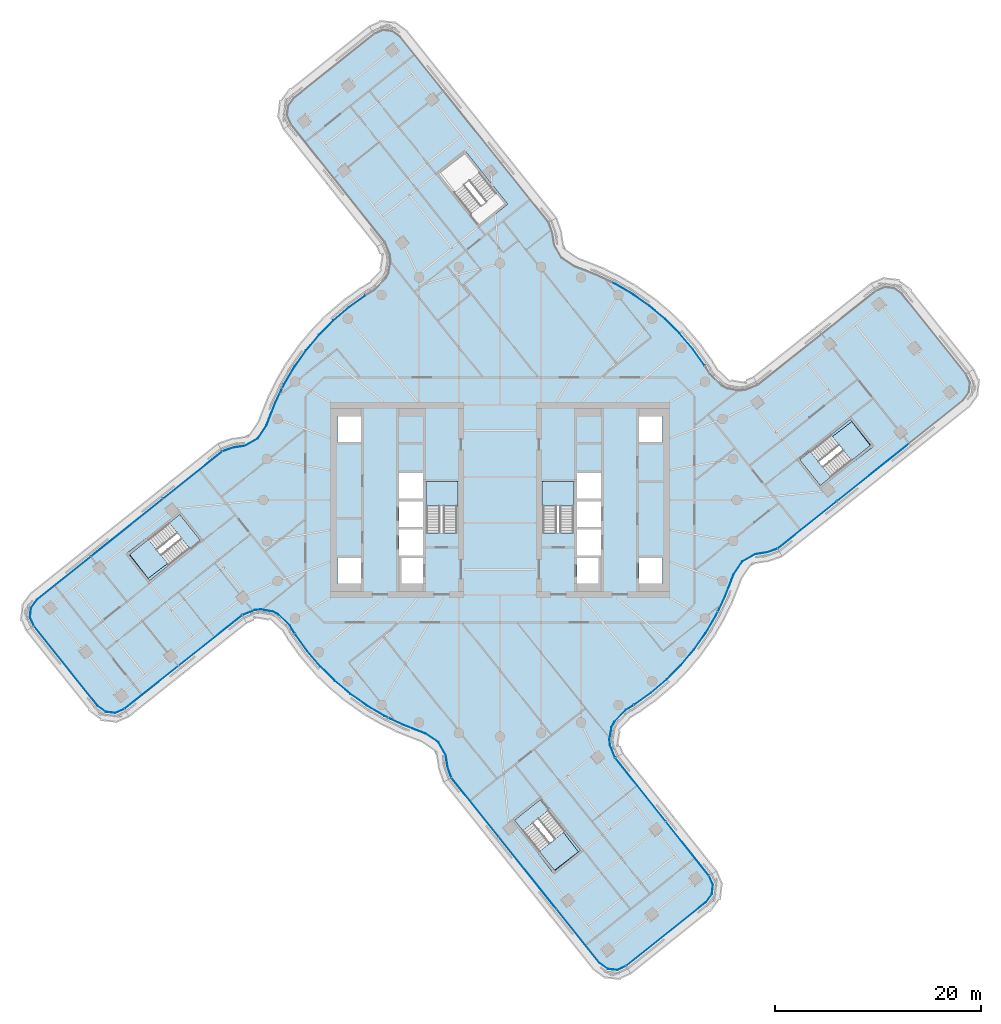
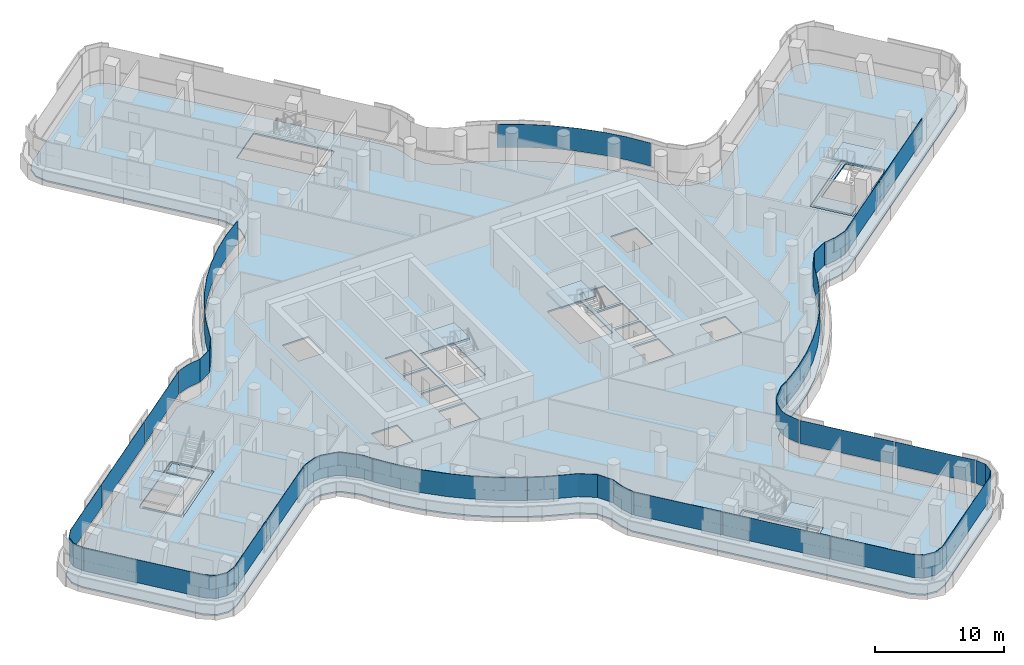
# One storey, part 17 of 31: 23 plates, 9 slabs, 16 elements without a shape of their own.
"""IFC4 building model written with IfcOpenShell, lengths in metres."""

from ifc_helpers import new_model, si_unit, direction, frame, origin, place, context, subcontext, project, spatial, polyline, outline, extrude, material, layer, layer_set, type_object, element, aggregate, save


model = new_model("IFC4")

# Units and contexts
model_context = context("Model", 3, precision=1e-05, world=origin(), true_north=direction((0.0, 1.0)))
body_context = subcontext(model_context, "Body", "Model", "MODEL_VIEW")
ifc_project = project(units=[si_unit("LENGTHUNIT", "METRE"), si_unit("AREAUNIT", "SQUARE_METRE"), si_unit("VOLUMEUNIT", "CUBIC_METRE"), si_unit("PLANEANGLEUNIT", "RADIAN"), si_unit("MASSUNIT", "GRAM", prefix="KILO")], contexts=[model_context])

# Site, building, storey
site_placement = place(None, origin())
site = spatial("IfcSite", under=ifc_project, at=site_placement, CompositionType="ELEMENT")
building_placement = place(site_placement, origin())
building = spatial("IfcBuilding", under=site, at=building_placement, Name="Tamarind Cross Interchange Tower", CompositionType="ELEMENT")
storey_placement = place(building_placement, frame((0.0, 0.0, 174.25)))
storey = spatial("IfcBuildingStorey", under=building, at=storey_placement, Name="L43", CompositionType="ELEMENT", Elevation=174.25)

# Slabs
ifc_material_1 = material(Name="Concrete C35", Category="concrete")
ifc_layer_1 = layer(ifc_material_1, 0.139892578125)
ifc_layer_set_1 = layer_set([ifc_layer_1], Name="Concrete C35")
slab_type_1 = type_object("IfcSlabType", Name="Composite slab 140 Concrete C35", PredefinedType="FLOOR", material=ifc_layer_set_1)
slab_1_placement = place(storey_placement, frame((0.0, 0.0, -0.139892578125)))
element("IfcSlab", 1, at=slab_1_placement, inside=storey, type_object=slab_type_1, Name="Floor slab L43", PredefinedType="FLOOR", context=body_context, shape_type="SweptSolid", body=[
    extrude(outline(polyline([(-26.003662109375, 5.280517578125), (-27.081787109375, 4.899169921875), (-45.14013671875, -9.54638671875), (-45.753662109375, -10.38037109375), (-45.867919921875, -11.4091796875), (-45.452392578125, -12.357666015625), (-39.205810546875, -20.16650390625), (-38.3720703125, -20.780029296875), (-37.343017578125, -20.894287109375), (-36.394775390625, -20.47900390625), (-24.9443359375, -11.37060546875), (-23.78271484375, -10.893310546875), (-23.235595703125, -10.83544921875), (-22.1416015625, -11.03369140625), (-21.649658203125, -11.280029296875), (-20.55224609375, -12.3544921875), (-20.031982421875, -13.2109375), (-18.87255859375, -14.820068359375), (-17.584228515625, -16.327880859375), (-16.17578125, -17.72412109375), (-14.656982421875, -18.99951171875), (-13.0380859375, -20.14501953125), (-11.329833984375, -21.15283203125), (-9.54443359375, -22.01611328125), (-7.88916015625, -22.662109375), (-7.347900390625, -22.85986328125), (-6.123291015625, -23.68359375), (-5.461669921875, -24.87060546875), (-5.280517578125, -26.003662109375), (-4.899169921875, -27.081787109375), (9.54638671875, -45.14013671875), (10.38037109375, -45.753662109375), (11.4091796875, -45.867919921875), (12.357666015625, -45.452392578125), (20.16650390625, -39.205810546875), (20.780029296875, -38.3720703125), (20.894287109375, -37.343017578125), (20.47900390625, -36.394775390625), (11.37060546875, -24.9443359375), (10.893310546875, -23.78271484375), (10.83544921875, -23.235595703125), (11.03369140625, -22.1416015625), (11.280029296875, -21.649658203125), (12.3544921875, -20.55224609375), (13.2109375, -20.031982421875), (14.820068359375, -18.87255859375), (16.327880859375, -17.584228515625), (17.72412109375, -16.17578125), (18.99951171875, -14.656982421875), (20.14501953125, -13.0380859375), (21.15283203125, -11.329833984375), (22.01611328125, -9.54443359375), (22.662109375, -7.88916015625), (22.85986328125, -7.347900390625), (23.68359375, -6.123291015625), (24.87060546875, -5.461669921875), (26.003662109375, -5.280517578125), (27.081787109375, -4.899169921875), (45.14013671875, 9.54638671875), (45.753662109375, 10.38037109375), (45.867919921875, 11.4091796875), (45.452392578125, 12.357666015625), (39.205810546875, 20.16650390625), (38.3720703125, 20.780029296875), (37.343017578125, 20.894287109375), (36.394775390625, 20.47900390625), (24.9443359375, 11.37060546875), (23.78271484375, 10.893310546875), (23.235595703125, 10.83544921875), (22.1416015625, 11.03369140625), (21.649658203125, 11.280029296875), (20.55224609375, 12.3544921875), (20.031982421875, 13.2109375), (18.87255859375, 14.820068359375), (17.584228515625, 16.327880859375), (16.17578125, 17.72412109375), (14.656982421875, 18.99951171875), (13.0380859375, 20.14501953125), (11.329833984375, 21.15283203125), (9.54443359375, 22.01611328125), (7.88916015625, 22.662109375), (7.347900390625, 22.85986328125), (6.123291015625, 23.68359375), (5.461669921875, 24.87060546875), (5.280517578125, 26.003662109375), (4.899169921875, 27.081787109375), (-9.54638671875, 45.14013671875), (-10.38037109375, 45.753662109375), (-11.4091796875, 45.867919921875), (-12.357666015625, 45.452392578125), (-20.16650390625, 39.205810546875), (-20.780029296875, 38.3720703125), (-20.894287109375, 37.343017578125), (-20.47900390625, 36.394775390625), (-11.37060546875, 24.9443359375), (-10.893310546875, 23.78271484375), (-10.83544921875, 23.235595703125), (-11.03369140625, 22.1416015625), (-11.280029296875, 21.649658203125), (-12.3544921875, 20.55224609375), (-13.2109375, 20.031982421875), (-14.820068359375, 18.87255859375), (-16.327880859375, 17.584228515625), (-17.72412109375, 16.17578125), (-18.99951171875, 14.656982421875), (-20.14501953125, 13.0380859375), (-21.15283203125, 11.329833984375), (-22.01611328125, 9.54443359375), (-22.662109375, 7.88916015625), (-22.85986328125, 7.347900390625), (-23.68359375, 6.123291015625), (-24.87060546875, 5.461669921875), (-26.003662109375, 5.280517578125)]), holes=[polyline([(-7.5, -8.125), (-9.800048828125, -8.125), (-9.800048828125, -5.625), (-7.5, -5.625), (-7.5, -8.125)]), polyline([(-13.5, -8.125), (-15.800048828125, -8.125), (-15.800048828125, -5.625), (-13.5, -5.625), (-13.5, -8.125)]), polyline([(-34.072509765625, -8.12060546875), (-34.197509765625, -7.96435546875), (-36.1962890625, -5.465576171875), (-36.3212890625, -5.309326171875), (-36.0986328125, -5.131103515625), (-36.13525390625, -5.083740234375), (-33.529296875, -3.075927734375), (-31.08935546875, -1.1240234375), (-30.96435546875, -1.2802734375), (-28.965576171875, -3.779052734375), (-28.840576171875, -3.935302734375), (-34.072509765625, -8.12060546875)]), polyline([(-7.5, -5.375), (-9.800048828125, -5.375), (-9.800048828125, -2.875), (-7.5, -2.875), (-7.5, -5.375)]), polyline([(-7.5, -2.625), (-9.800048828125, -2.625), (-9.800048828125, -0.125), (-7.5, -0.125), (-7.5, -2.625)]), polyline([(-4.199951171875, 1.800048828125), (-4.199951171875, -3.18798828125), (-7.14990234375, -3.18798828125), (-7.14990234375, 1.800048828125), (-4.199951171875, 1.800048828125)]), polyline([(-7.5, 0.125), (-9.800048828125, 0.125), (-9.800048828125, 2.625), (-7.5, 2.625), (-7.5, 0.125)]), polyline([(-13.5, 5.625), (-15.800048828125, 5.625), (-15.800048828125, 8.125), (-13.5, 8.125), (-13.5, 5.625)]), polyline([(0.75, 28.74658203125), (0.59375, 28.62158203125), (-1.905029296875, 26.622802734375), (-2.061279296875, 26.497802734375), (-6.24658203125, 31.72998046875), (-6.09033203125, 31.854736328125), (-3.591552734375, 33.853759765625), (-3.435302734375, 33.978759765625), (-3.2568359375, 33.755615234375), (-3.252685546875, 33.7587890625), (-3.075927734375, 33.529296875), (0.75, 28.74658203125)]), polyline([(1.1240234375, -31.08935546875), (1.2802734375, -30.96435546875), (3.779052734375, -28.965576171875), (3.935302734375, -28.840576171875), (8.12060546875, -34.072509765625), (7.96435546875, -34.197509765625), (5.465576171875, -36.1962890625), (5.309326171875, -36.3212890625), (5.131103515625, -36.0986328125), (5.083740234375, -36.13525390625), (3.075927734375, -33.529296875), (1.1240234375, -31.08935546875)]), polyline([(13.5, -5.625), (15.800048828125, -5.625), (15.800048828125, -8.125), (13.5, -8.125), (13.5, -5.625)]), polyline([(7.5, -5.625), (9.800048828125, -5.625), (9.800048828125, -8.125), (7.5, -8.125), (7.5, -5.625)]), polyline([(7.5, -2.875), (9.800048828125, -2.875), (9.800048828125, -5.375), (7.5, -5.375), (7.5, -2.875)]), polyline([(7.5, -0.125), (9.800048828125, -0.125), (9.800048828125, -2.625), (7.5, -2.625), (7.5, -0.125)]), polyline([(7.14990234375, 1.800048828125), (7.14990234375, -3.18798828125), (4.199951171875, -3.18798828125), (4.199951171875, 1.800048828125), (7.14990234375, 1.800048828125)]), polyline([(7.5, 2.625), (9.800048828125, 2.625), (9.800048828125, 0.125), (7.5, 0.125), (7.5, 2.625)]), polyline([(31.08935546875, 1.1240234375), (30.96435546875, 1.2802734375), (28.965576171875, 3.779052734375), (28.840576171875, 3.935302734375), (34.072509765625, 8.12060546875), (34.197509765625, 7.96435546875), (36.1962890625, 5.465576171875), (36.3212890625, 5.309326171875), (36.0986328125, 5.131103515625), (36.13525390625, 5.083740234375), (33.529296875, 3.075927734375), (31.08935546875, 1.1240234375)]), polyline([(15.800048828125, 8.125), (15.800048828125, 5.625), (13.5, 5.625), (13.5, 8.125), (15.800048828125, 8.125)])]), origin(), (0.0, 0.0, 1.0), 0.139892578125),
])
slab_2_placement = place(storey_placement, frame((0.0, 0.0, -0.139892578125)))
element("IfcSlab", 2, at=slab_2_placement, inside=storey, type_object=slab_type_1, Name="Floor slab L43", PredefinedType="FLOOR", context=body_context, shape_type="SweptSolid", body=[
    extrude(outline(polyline([(-36.040283203125, -5.340576171875), (-34.041259765625, -7.839599609375), (-29.12158203125, -3.904052734375), (-31.12060546875, -1.4052734375), (-32.080810546875, -2.17333984375), (-32.14501953125, -2.224853515625), (-30.25244140625, -4.5908203125), (-34.18212890625, -7.61865234375), (-35.9765625, -5.289794921875), (-36.040283203125, -5.340576171875)])), origin(), (0.0, 0.0, 1.0), 0.139892578125),
])
slab_3_placement = place(storey_placement, frame((0.0, 0.0, -0.139892578125)))
element("IfcSlab", 3, at=slab_3_placement, inside=storey, type_object=slab_type_1, Name="Floor slab L43", PredefinedType="FLOOR", context=body_context, shape_type="SweptSolid", body=[
    extrude(outline(polyline([(5.340576171875, -36.040283203125), (7.839599609375, -34.041259765625), (3.904052734375, -29.12158203125), (1.4052734375, -31.12060546875), (2.17333984375, -32.080810546875), (2.224853515625, -32.14501953125), (4.5908203125, -30.25244140625), (7.61865234375, -34.18212890625), (5.289794921875, -35.9765625), (5.340576171875, -36.040283203125)])), origin(), (0.0, 0.0, 1.0), 0.139892578125),
])
slab_4_placement = place(storey_placement, frame((0.0, 0.0, -0.139892578125)))
element("IfcSlab", 4, at=slab_4_placement, inside=storey, type_object=slab_type_1, Name="Floor slab L43", PredefinedType="FLOOR", context=body_context, shape_type="SweptSolid", body=[
    extrude(outline(polyline([(36.040283203125, 5.340576171875), (34.041259765625, 7.839599609375), (29.12158203125, 3.904052734375), (31.12060546875, 1.4052734375), (32.080810546875, 2.17333984375), (32.14501953125, 2.224853515625), (30.25244140625, 4.5908203125), (34.18212890625, 7.61865234375), (35.9765625, 5.289794921875), (36.040283203125, 5.340576171875)])), origin(), (0.0, 0.0, 1.0), 0.139892578125),
])

# Stair, slab
ifc_material_2 = material(Name="Exit stair")
stair_type = type_object("IfcStairType", Name="Exit stair", PredefinedType="HALF_TURN_STAIR", material=ifc_material_2)
stair_1_placement = place(storey_placement, origin())
stair_1 = element("IfcStair", 5, at=stair_1_placement, inside=storey, type_object=stair_type, Name="L43 exit stair ST1", PredefinedType="HALF_TURN_STAIR")
ifc_material_3 = material(Name="Concrete C40", Category="concrete")
ifc_layer_2 = layer(ifc_material_3, 0.199951171875)
ifc_layer_set_2 = layer_set([ifc_layer_2], Name="Concrete C40")
slab_type_2 = type_object("IfcSlabType", Name="Stair landing", PredefinedType="LANDING", material=ifc_layer_set_2)
slab_5_placement = place(storey_placement, frame((0.0, 0.0, 1.675048828125)))
slab_5 = element("IfcSlab", 6, at=slab_5_placement, type_object=slab_type_2, Name="ST1 landing 1", PredefinedType="LANDING", context=body_context, shape_type="SweptSolid", body=[
    extrude(outline(polyline([(-4.10009765625, -0.60009765625), (-4.10009765625, 1.800048828125), (-7.199951171875, 1.800048828125), (-7.199951171875, -0.60009765625), (-4.10009765625, -0.60009765625)])), origin(), (0.0, 0.0, 1.0), 0.199951171875),
])
aggregate(stair_1, [slab_5])

stair_2_placement = place(storey_placement, origin())
stair_2 = element("IfcStair", 7, at=stair_2_placement, inside=storey, type_object=stair_type, Name="L43 exit stair ST2", PredefinedType="HALF_TURN_STAIR")
slab_6_placement = place(storey_placement, frame((0.0, 0.0, 1.675048828125)))
slab_6 = element("IfcSlab", 8, at=slab_6_placement, type_object=slab_type_2, Name="ST2 landing 1", PredefinedType="LANDING", context=body_context, shape_type="SweptSolid", body=[
    extrude(outline(polyline([(7.199951171875, -0.60009765625), (7.199951171875, 1.800048828125), (4.10009765625, 1.800048828125), (4.10009765625, -0.60009765625), (7.199951171875, -0.60009765625)])), origin(), (0.0, 0.0, 1.0), 0.199951171875),
])
aggregate(stair_2, [slab_6])

stair_3_placement = place(storey_placement, origin())
stair_3 = element("IfcStair", 9, at=stair_3_placement, inside=storey, type_object=stair_type, Name="L43 exit stair ST3", PredefinedType="HALF_TURN_STAIR")
slab_7_placement = place(storey_placement, frame((0.0, 0.0, 1.675048828125)))
slab_7 = element("IfcSlab", 10, at=slab_7_placement, type_object=slab_type_2, Name="ST3 landing 1", PredefinedType="LANDING", context=body_context, shape_type="SweptSolid", body=[
    extrude(outline(polyline([(34.15673828125, 3.833984375), (36.040283203125, 5.340576171875), (34.041259765625, 7.83935546875), (32.15771484375, 6.332763671875), (34.15673828125, 3.833984375)])), origin(), (0.0, 0.0, 1.0), 0.199951171875),
])
aggregate(stair_3, [slab_7])

stair_4_placement = place(storey_placement, origin())
stair_4 = element("IfcStair", 11, at=stair_4_placement, inside=storey, type_object=stair_type, Name="L43 exit stair ST5", PredefinedType="HALF_TURN_STAIR")
slab_8_placement = place(storey_placement, frame((0.0, 0.0, 1.675048828125)))
slab_8 = element("IfcSlab", 12, at=slab_8_placement, type_object=slab_type_2, Name="ST5 landing 1", PredefinedType="LANDING", context=body_context, shape_type="SweptSolid", body=[
    extrude(outline(polyline([(-34.15673828125, -3.833984375), (-36.040283203125, -5.340576171875), (-34.041259765625, -7.83935546875), (-32.15771484375, -6.332763671875), (-34.15673828125, -3.833984375)])), origin(), (0.0, 0.0, 1.0), 0.199951171875),
])
aggregate(stair_4, [slab_8])

stair_5_placement = place(storey_placement, origin())
stair_5 = element("IfcStair", 13, at=stair_5_placement, inside=storey, type_object=stair_type, Name="L43 exit stair ST6", PredefinedType="HALF_TURN_STAIR")
slab_9_placement = place(storey_placement, frame((0.0, 0.0, 1.675048828125)))
slab_9 = element("IfcSlab", 14, at=slab_9_placement, type_object=slab_type_2, Name="ST6 landing 1", PredefinedType="LANDING", context=body_context, shape_type="SweptSolid", body=[
    extrude(outline(polyline([(3.833984375, -34.15673828125), (5.340576171875, -36.040283203125), (7.83935546875, -34.041259765625), (6.332763671875, -32.15771484375), (3.833984375, -34.15673828125)])), origin(), (0.0, 0.0, 1.0), 0.199951171875),
])
aggregate(stair_5, [slab_9])

# Curtain wall, plate
ifc_material_4 = material(Name="Aluminium 6063-T6", Category="aluminium")
ifc_layer_3 = layer(ifc_material_4, 0.159912109375)
ifc_layer_set_3 = layer_set([ifc_layer_3], Name="Aluminium 6063-T6")
curtain_wall_type = type_object("IfcCurtainWallType", Name="Office curtain wall, 9.0 m bays", PredefinedType="NOTDEFINED", material=ifc_layer_set_3)
curtain_wall_1_placement = place(storey_placement, origin())
curtain_wall_1 = element("IfcCurtainWall", 15, at=curtain_wall_1_placement, inside=storey, type_object=curtain_wall_type, Name="CWS-L43-00", PredefinedType="NOTDEFINED")
ifc_material_5 = material(Name="Laminated low-e glass 8+1.52+8", Category="glass")
ifc_layer_4 = layer(ifc_material_5, 0.028076171875)
ifc_layer_set_4 = layer_set([ifc_layer_4], Name="Laminated low-e glass 8+1.52+8")
plate_type = type_object("IfcPlateType", Name="Vision panel CW1", PredefinedType="CURTAIN_PANEL", material=ifc_layer_set_4)
plate_1_placement = place(storey_placement, frame((0.0, 0.0, 1.39990234375)))
plate_1 = element("IfcPlate", 16, at=plate_1_placement, type_object=plate_type, Name="CWP-L43-00-00", PredefinedType="CURTAIN_PANEL", context=body_context, shape_type="SweptSolid", body=[
    extrude(outline(polyline([(-45.250244140625, -12.267822265625), (-39.056396484375, -20.0107421875), (-38.291259765625, -20.57373046875), (-37.37646484375, -20.67529296875), (-36.531982421875, -20.305419921875), (-36.520751953125, -20.3310546875), (-37.3720703125, -20.7041015625), (-38.302001953125, -20.6005859375), (-39.075927734375, -20.03125), (-45.27197265625, -12.285400390625), (-45.250244140625, -12.267822265625)])), origin(), (0.0, 0.0, 1.0), 2.170166015625),
])
aggregate(curtain_wall_1, [plate_1])

# Curtain wall, plates
curtain_wall_2_placement = place(storey_placement, origin())
curtain_wall_2 = element("IfcCurtainWall", 17, at=curtain_wall_2_placement, inside=storey, type_object=curtain_wall_type, Name="CWS-L43-01", PredefinedType="NOTDEFINED")
plate_2_placement = place(storey_placement, frame((0.0, 0.0, 1.39990234375)))
plate_2 = element("IfcPlate", 18, at=plate_2_placement, type_object=plate_type, Name="CWP-L43-01-00", PredefinedType="CURTAIN_PANEL", context=body_context, shape_type="SweptSolid", body=[
    extrude(outline(polyline([(-36.484130859375, -20.276611328125), (-31.2607421875, -16.121826171875), (-31.243408203125, -16.1435546875), (-36.466796875, -20.298583984375), (-36.484130859375, -20.276611328125)])), origin(), (0.0, 0.0, 1.0), 2.170166015625),
])
plate_3_placement = place(storey_placement, frame((0.0, 0.0, 1.39990234375)))
plate_3 = element("IfcPlate", 19, at=plate_3_placement, type_object=plate_type, Name="CWP-L43-01-01", PredefinedType="CURTAIN_PANEL", context=body_context, shape_type="SweptSolid", body=[
    extrude(outline(polyline([(-31.2138671875, -16.08447265625), (-25.078857421875, -11.204345703125), (-25.0615234375, -11.22607421875), (-31.196533203125, -16.106201171875), (-31.2138671875, -16.08447265625)])), origin(), (0.0, 0.0, 1.0), 2.170166015625),
])
aggregate(curtain_wall_2, [plate_2, plate_3])

curtain_wall_3_placement = place(storey_placement, origin())
curtain_wall_3 = element("IfcCurtainWall", 20, at=curtain_wall_3_placement, inside=storey, type_object=curtain_wall_type, Name="CWS-L43-02", PredefinedType="NOTDEFINED")
plate_4_placement = place(storey_placement, frame((0.0, 0.0, 1.39990234375)))
plate_4 = element("IfcPlate", 21, at=plate_4_placement, type_object=plate_type, Name="CWP-L43-02-00", PredefinedType="CURTAIN_PANEL", context=body_context, shape_type="SweptSolid", body=[
    extrude(outline(polyline([(-25.0244140625, -11.172119140625), (-23.8359375, -10.68359375), (-23.227783203125, -10.619384765625), (-22.0732421875, -10.82861328125), (-21.52392578125, -11.103515625), (-20.38330078125, -12.220458984375), (-19.93603515625, -12.95654296875), (-19.9599609375, -12.97119140625), (-20.4052734375, -12.238037109375), (-21.540283203125, -11.126708984375), (-22.082275390625, -10.85546875), (-23.228759765625, -10.647705078125), (-23.828857421875, -10.711181640625), (-25.013671875, -11.197998046875), (-25.0244140625, -11.172119140625)])), origin(), (0.0, 0.0, 1.0), 2.170166015625),
])
plate_5_placement = place(storey_placement, frame((0.0, 0.0, 1.39990234375)))
plate_5 = element("IfcPlate", 22, at=plate_5_placement, type_object=plate_type, Name="CWP-L43-02-01", PredefinedType="CURTAIN_PANEL", context=body_context, shape_type="SweptSolid", body=[
    extrude(outline(polyline([(-19.90478515625, -13.008056640625), (-19.853515625, -13.092529296875), (-18.7041015625, -14.687744140625), (-17.42724609375, -16.18212890625), (-16.031494140625, -17.56591796875), (-14.526123046875, -18.829833984375), (-12.921630859375, -19.965087890625), (-11.228759765625, -20.9638671875), (-10.873291015625, -21.1357421875), (-10.885498046875, -21.1611328125), (-11.241943359375, -20.98876953125), (-12.936767578125, -19.988525390625), (-14.543212890625, -18.85205078125), (-16.05029296875, -17.586669921875), (-17.44775390625, -16.201171875), (-18.72607421875, -14.705078125), (-19.876708984375, -13.108154296875), (-19.9287109375, -13.0224609375), (-19.90478515625, -13.008056640625)])), origin(), (0.0, 0.0, 1.0), 2.170166015625),
])
plate_6_placement = place(storey_placement, frame((0.0, 0.0, 1.39990234375)))
plate_6 = element("IfcPlate", 23, at=plate_6_placement, type_object=plate_type, Name="CWP-L43-02-02", PredefinedType="CURTAIN_PANEL", context=body_context, shape_type="SweptSolid", body=[
    extrude(outline(polyline([(-10.8193359375, -21.161865234375), (-9.458740234375, -21.81982421875), (-7.8134765625, -22.4619140625), (-7.25, -22.66796875), (-5.96142578125, -23.53466796875), (-5.25634765625, -24.799560546875), (-5.072265625, -25.95068359375), (-4.718505859375, -26.9501953125), (-4.7451171875, -26.95947265625), (-5.099365234375, -25.95751953125), (-5.283203125, -24.808837890625), (-5.982666015625, -23.553955078125), (-7.2626953125, -22.693115234375), (-7.8232421875, -22.488037109375), (-9.469970703125, -21.845458984375), (-10.83154296875, -21.187255859375), (-10.8193359375, -21.161865234375)])), origin(), (0.0, 0.0, 1.0), 2.170166015625),
])
aggregate(curtain_wall_3, [plate_4, plate_5, plate_6])

curtain_wall_4_placement = place(storey_placement, origin())
curtain_wall_4 = element("IfcCurtainWall", 24, at=curtain_wall_4_placement, inside=storey, type_object=curtain_wall_type, Name="CWS-L43-03", PredefinedType="NOTDEFINED")
plate_7_placement = place(storey_placement, frame((0.0, 0.0, 1.39990234375)))
plate_7 = element("IfcPlate", 25, at=plate_7_placement, type_object=plate_type, Name="CWP-L43-03-00", PredefinedType="CURTAIN_PANEL", context=body_context, shape_type="SweptSolid", body=[
    extrude(outline(polyline([(-4.692138671875, -26.997802734375), (-0.1240234375, -32.708251953125), (-0.14599609375, -32.725830078125), (-4.714111328125, -27.015380859375), (-4.692138671875, -26.997802734375)])), origin(), (0.0, 0.0, 1.0), 2.170166015625),
])
plate_8_placement = place(storey_placement, frame((0.0, 0.0, 1.39990234375)))
plate_8 = element("IfcPlate", 26, at=plate_8_placement, type_object=plate_type, Name="CWP-L43-03-01", PredefinedType="CURTAIN_PANEL", context=body_context, shape_type="SweptSolid", body=[
    extrude(outline(polyline([(-0.086669921875, -32.755126953125), (5.4833984375, -39.718017578125), (5.46142578125, -39.735595703125), (-0.1083984375, -32.772705078125), (-0.086669921875, -32.755126953125)])), origin(), (0.0, 0.0, 1.0), 2.170166015625),
])
plate_9_placement = place(storey_placement, frame((0.0, 0.0, 1.39990234375)))
plate_9 = element("IfcPlate", 27, at=plate_9_placement, type_object=plate_type, Name="CWP-L43-03-02", PredefinedType="CURTAIN_PANEL", context=body_context, shape_type="SweptSolid", body=[
    extrude(outline(polyline([(5.520751953125, -39.764892578125), (9.696044921875, -44.984375), (10.4609375, -45.547119140625), (11.3759765625, -45.64892578125), (12.22021484375, -45.279052734375), (12.2314453125, -45.3046875), (11.38037109375, -45.677490234375), (10.450439453125, -45.57421875), (9.676513671875, -45.004638671875), (5.4990234375, -39.782470703125), (5.520751953125, -39.764892578125)])), origin(), (0.0, 0.0, 1.0), 2.170166015625),
])
aggregate(curtain_wall_4, [plate_7, plate_8, plate_9])

# Curtain wall, plate
curtain_wall_5_placement = place(storey_placement, origin())
curtain_wall_5 = element("IfcCurtainWall", 28, at=curtain_wall_5_placement, inside=storey, type_object=curtain_wall_type, Name="CWS-L43-04", PredefinedType="NOTDEFINED")
plate_10_placement = place(storey_placement, frame((0.0, 0.0, 1.39990234375)))
plate_10 = element("IfcPlate", 29, at=plate_10_placement, type_object=plate_type, Name="CWP-L43-04-00", PredefinedType="CURTAIN_PANEL", context=body_context, shape_type="SweptSolid", body=[
    extrude(outline(polyline([(12.267822265625, -45.250244140625), (20.0107421875, -39.056396484375), (20.57373046875, -38.291259765625), (20.67529296875, -37.37646484375), (20.305419921875, -36.531982421875), (20.3310546875, -36.520751953125), (20.7041015625, -37.3720703125), (20.6005859375, -38.302001953125), (20.03125, -39.075927734375), (12.285400390625, -45.27197265625), (12.267822265625, -45.250244140625)])), origin(), (0.0, 0.0, 1.0), 2.170166015625),
])
aggregate(curtain_wall_5, [plate_10])

# Curtain wall, plates
curtain_wall_6_placement = place(storey_placement, origin())
curtain_wall_6 = element("IfcCurtainWall", 30, at=curtain_wall_6_placement, inside=storey, type_object=curtain_wall_type, Name="CWS-L43-05", PredefinedType="NOTDEFINED")
plate_11_placement = place(storey_placement, frame((0.0, 0.0, 1.39990234375)))
plate_11 = element("IfcPlate", 31, at=plate_11_placement, type_object=plate_type, Name="CWP-L43-05-00", PredefinedType="CURTAIN_PANEL", context=body_context, shape_type="SweptSolid", body=[
    extrude(outline(polyline([(20.276611328125, -36.484130859375), (16.121826171875, -31.2607421875), (16.1435546875, -31.243408203125), (20.298583984375, -36.466796875), (20.276611328125, -36.484130859375)])), origin(), (0.0, 0.0, 1.0), 2.170166015625),
])
plate_12_placement = place(storey_placement, frame((0.0, 0.0, 1.39990234375)))
plate_12 = element("IfcPlate", 32, at=plate_12_placement, type_object=plate_type, Name="CWP-L43-05-01", PredefinedType="CURTAIN_PANEL", context=body_context, shape_type="SweptSolid", body=[
    extrude(outline(polyline([(16.08447265625, -31.2138671875), (11.204345703125, -25.078857421875), (11.22607421875, -25.0615234375), (16.106201171875, -31.196533203125), (16.08447265625, -31.2138671875)])), origin(), (0.0, 0.0, 1.0), 2.170166015625),
])
aggregate(curtain_wall_6, [plate_11, plate_12])

curtain_wall_7_placement = place(storey_placement, origin())
curtain_wall_7 = element("IfcCurtainWall", 33, at=curtain_wall_7_placement, inside=storey, type_object=curtain_wall_type, Name="CWS-L43-06", PredefinedType="NOTDEFINED")
plate_13_placement = place(storey_placement, frame((0.0, 0.0, 1.39990234375)))
plate_13 = element("IfcPlate", 34, at=plate_13_placement, type_object=plate_type, Name="CWP-L43-06-00", PredefinedType="CURTAIN_PANEL", context=body_context, shape_type="SweptSolid", body=[
    extrude(outline(polyline([(11.172119140625, -25.0244140625), (10.68359375, -23.8359375), (10.619384765625, -23.227783203125), (10.82861328125, -22.0732421875), (11.103515625, -21.52392578125), (12.220458984375, -20.38330078125), (12.95654296875, -19.93603515625), (12.97119140625, -19.9599609375), (12.238037109375, -20.4052734375), (11.126708984375, -21.540283203125), (10.85546875, -22.082275390625), (10.647705078125, -23.228759765625), (10.711181640625, -23.828857421875), (11.197998046875, -25.013671875), (11.172119140625, -25.0244140625)])), origin(), (0.0, 0.0, 1.0), 2.170166015625),
])
plate_14_placement = place(storey_placement, frame((0.0, 0.0, 1.39990234375)))
plate_14 = element("IfcPlate", 35, at=plate_14_placement, type_object=plate_type, Name="CWP-L43-06-01", PredefinedType="CURTAIN_PANEL", context=body_context, shape_type="SweptSolid", body=[
    extrude(outline(polyline([(13.008056640625, -19.90478515625), (13.092529296875, -19.853515625), (14.687744140625, -18.7041015625), (16.18212890625, -17.42724609375), (17.56591796875, -16.031494140625), (18.829833984375, -14.526123046875), (19.965087890625, -12.921630859375), (20.9638671875, -11.228759765625), (21.1357421875, -10.873291015625), (21.1611328125, -10.885498046875), (20.98876953125, -11.241943359375), (19.988525390625, -12.936767578125), (18.85205078125, -14.543212890625), (17.586669921875, -16.05029296875), (16.201171875, -17.44775390625), (14.705078125, -18.72607421875), (13.108154296875, -19.876708984375), (13.0224609375, -19.9287109375), (13.008056640625, -19.90478515625)])), origin(), (0.0, 0.0, 1.0), 2.170166015625),
])
plate_15_placement = place(storey_placement, frame((0.0, 0.0, 1.39990234375)))
plate_15 = element("IfcPlate", 36, at=plate_15_placement, type_object=plate_type, Name="CWP-L43-06-02", PredefinedType="CURTAIN_PANEL", context=body_context, shape_type="SweptSolid", body=[
    extrude(outline(polyline([(21.161865234375, -10.8193359375), (21.81982421875, -9.458740234375), (22.4619140625, -7.8134765625), (22.66796875, -7.25), (23.53466796875, -5.96142578125), (24.799560546875, -5.25634765625), (25.95068359375, -5.072265625), (26.9501953125, -4.718505859375), (26.95947265625, -4.7451171875), (25.95751953125, -5.099365234375), (24.808837890625, -5.283203125), (23.553955078125, -5.982666015625), (22.693115234375, -7.2626953125), (22.488037109375, -7.8232421875), (21.845458984375, -9.469970703125), (21.187255859375, -10.83154296875), (21.161865234375, -10.8193359375)])), origin(), (0.0, 0.0, 1.0), 2.170166015625),
])
aggregate(curtain_wall_7, [plate_13, plate_14, plate_15])

curtain_wall_8_placement = place(storey_placement, origin())
curtain_wall_8 = element("IfcCurtainWall", 37, at=curtain_wall_8_placement, inside=storey, type_object=curtain_wall_type, Name="CWS-L43-07", PredefinedType="NOTDEFINED")
plate_16_placement = place(storey_placement, frame((0.0, 0.0, 1.39990234375)))
plate_16 = element("IfcPlate", 38, at=plate_16_placement, type_object=plate_type, Name="CWP-L43-07-00", PredefinedType="CURTAIN_PANEL", context=body_context, shape_type="SweptSolid", body=[
    extrude(outline(polyline([(26.997802734375, -4.692138671875), (32.708251953125, -0.1240234375), (32.725830078125, -0.14599609375), (27.015380859375, -4.714111328125), (26.997802734375, -4.692138671875)])), origin(), (0.0, 0.0, 1.0), 2.170166015625),
])
plate_17_placement = place(storey_placement, frame((0.0, 0.0, 1.39990234375)))
plate_17 = element("IfcPlate", 39, at=plate_17_placement, type_object=plate_type, Name="CWP-L43-07-01", PredefinedType="CURTAIN_PANEL", context=body_context, shape_type="SweptSolid", body=[
    extrude(outline(polyline([(32.755126953125, -0.086669921875), (39.718017578125, 5.4833984375), (39.735595703125, 5.46142578125), (32.772705078125, -0.1083984375), (32.755126953125, -0.086669921875)])), origin(), (0.0, 0.0, 1.0), 2.170166015625),
])
aggregate(curtain_wall_8, [plate_16, plate_17])

# Curtain wall, plate
curtain_wall_9_placement = place(storey_placement, origin())
curtain_wall_9 = element("IfcCurtainWall", 40, at=curtain_wall_9_placement, inside=storey, type_object=curtain_wall_type, Name="CWS-L43-10", PredefinedType="NOTDEFINED")
plate_18_placement = place(storey_placement, frame((0.0, 0.0, 1.39990234375)))
plate_18 = element("IfcPlate", 41, at=plate_18_placement, type_object=plate_type, Name="CWP-L43-10-01", PredefinedType="CURTAIN_PANEL", context=body_context, shape_type="SweptSolid", body=[
    extrude(outline(polyline([(19.90478515625, 13.008056640625), (19.853515625, 13.092529296875), (18.7041015625, 14.687744140625), (17.42724609375, 16.18212890625), (16.031494140625, 17.56591796875), (14.526123046875, 18.829833984375), (12.921630859375, 19.965087890625), (11.228759765625, 20.9638671875), (10.873291015625, 21.1357421875), (10.885498046875, 21.1611328125), (11.241943359375, 20.98876953125), (12.936767578125, 19.988525390625), (14.543212890625, 18.85205078125), (16.05029296875, 17.586669921875), (17.44775390625, 16.201171875), (18.72607421875, 14.705078125), (19.876708984375, 13.108154296875), (19.9287109375, 13.0224609375), (19.90478515625, 13.008056640625)])), origin(), (0.0, 0.0, 1.0), 2.170166015625),
])
aggregate(curtain_wall_9, [plate_18])

# Curtain wall, plates
curtain_wall_10_placement = place(storey_placement, origin())
curtain_wall_10 = element("IfcCurtainWall", 42, at=curtain_wall_10_placement, inside=storey, type_object=curtain_wall_type, Name="CWS-L43-14", PredefinedType="NOTDEFINED")
plate_19_placement = place(storey_placement, frame((0.0, 0.0, 1.39990234375)))
plate_19 = element("IfcPlate", 43, at=plate_19_placement, type_object=plate_type, Name="CWP-L43-14-01", PredefinedType="CURTAIN_PANEL", context=body_context, shape_type="SweptSolid", body=[
    extrude(outline(polyline([(-13.008056640625, 19.90478515625), (-13.092529296875, 19.853515625), (-14.687744140625, 18.7041015625), (-16.18212890625, 17.42724609375), (-17.56591796875, 16.031494140625), (-18.829833984375, 14.526123046875), (-19.965087890625, 12.921630859375), (-20.9638671875, 11.228759765625), (-21.1357421875, 10.873291015625), (-21.1611328125, 10.885498046875), (-20.98876953125, 11.241943359375), (-19.988525390625, 12.936767578125), (-18.85205078125, 14.543212890625), (-17.586669921875, 16.05029296875), (-16.201171875, 17.44775390625), (-14.705078125, 18.72607421875), (-13.108154296875, 19.876708984375), (-13.0224609375, 19.9287109375), (-13.008056640625, 19.90478515625)])), origin(), (0.0, 0.0, 1.0), 2.170166015625),
])
plate_20_placement = place(storey_placement, frame((0.0, 0.0, 1.39990234375)))
plate_20 = element("IfcPlate", 44, at=plate_20_placement, type_object=plate_type, Name="CWP-L43-14-02", PredefinedType="CURTAIN_PANEL", context=body_context, shape_type="SweptSolid", body=[
    extrude(outline(polyline([(-21.161865234375, 10.8193359375), (-21.81982421875, 9.458740234375), (-22.4619140625, 7.8134765625), (-22.66796875, 7.25), (-23.53466796875, 5.96142578125), (-24.799560546875, 5.25634765625), (-25.95068359375, 5.072265625), (-26.9501953125, 4.718505859375), (-26.95947265625, 4.7451171875), (-25.95751953125, 5.099365234375), (-24.808837890625, 5.283203125), (-23.553955078125, 5.982666015625), (-22.693115234375, 7.2626953125), (-22.488037109375, 7.8232421875), (-21.845458984375, 9.469970703125), (-21.187255859375, 10.83154296875), (-21.161865234375, 10.8193359375)])), origin(), (0.0, 0.0, 1.0), 2.170166015625),
])
aggregate(curtain_wall_10, [plate_19, plate_20])

curtain_wall_11_placement = place(storey_placement, origin())
curtain_wall_11 = element("IfcCurtainWall", 45, at=curtain_wall_11_placement, inside=storey, type_object=curtain_wall_type, Name="CWS-L43-15", PredefinedType="NOTDEFINED")
plate_21_placement = place(storey_placement, frame((0.0, 0.0, 1.39990234375)))
plate_21 = element("IfcPlate", 46, at=plate_21_placement, type_object=plate_type, Name="CWP-L43-15-00", PredefinedType="CURTAIN_PANEL", context=body_context, shape_type="SweptSolid", body=[
    extrude(outline(polyline([(-26.997802734375, 4.692138671875), (-32.708251953125, 0.1240234375), (-32.725830078125, 0.14599609375), (-27.015380859375, 4.714111328125), (-26.997802734375, 4.692138671875)])), origin(), (0.0, 0.0, 1.0), 2.170166015625),
])
plate_22_placement = place(storey_placement, frame((0.0, 0.0, 1.39990234375)))
plate_22 = element("IfcPlate", 47, at=plate_22_placement, type_object=plate_type, Name="CWP-L43-15-01", PredefinedType="CURTAIN_PANEL", context=body_context, shape_type="SweptSolid", body=[
    extrude(outline(polyline([(-32.755126953125, 0.086669921875), (-39.718017578125, -5.4833984375), (-39.735595703125, -5.46142578125), (-32.772705078125, 0.1083984375), (-32.755126953125, 0.086669921875)])), origin(), (0.0, 0.0, 1.0), 2.170166015625),
])
plate_23_placement = place(storey_placement, frame((0.0, 0.0, 1.39990234375)))
plate_23 = element("IfcPlate", 48, at=plate_23_placement, type_object=plate_type, Name="CWP-L43-15-02", PredefinedType="CURTAIN_PANEL", context=body_context, shape_type="SweptSolid", body=[
    extrude(outline(polyline([(-39.764892578125, -5.520751953125), (-44.984375, -9.696044921875), (-45.547119140625, -10.4609375), (-45.64892578125, -11.3759765625), (-45.279052734375, -12.22021484375), (-45.3046875, -12.2314453125), (-45.677490234375, -11.38037109375), (-45.57421875, -10.450439453125), (-45.004638671875, -9.676513671875), (-39.782470703125, -5.4990234375), (-39.764892578125, -5.520751953125)])), origin(), (0.0, 0.0, 1.0), 2.170166015625),
])
aggregate(curtain_wall_11, [plate_21, plate_22, plate_23])

save(model, "model.ifc")
